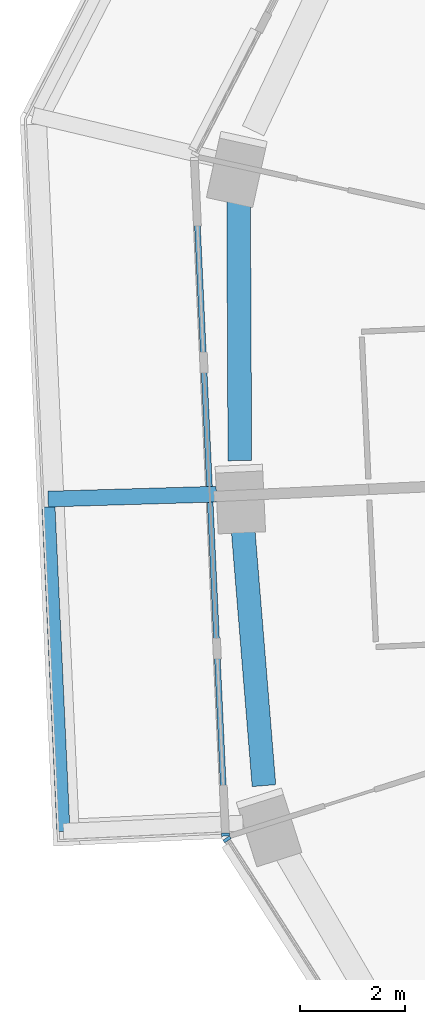
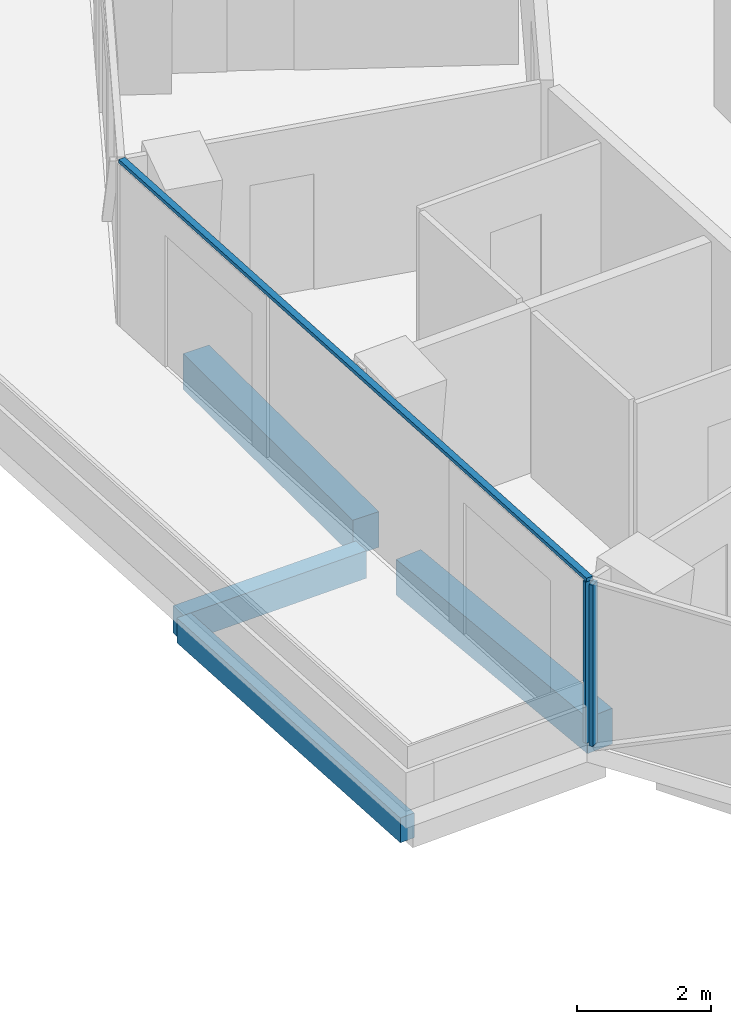
# One storey, part 4 of 22: 4 beams, 3 members, 2 elements without a shape of their own.
"""IFC4 building model written with IfcOpenShell, lengths in metres."""

from ifc_helpers import new_model, si_unit, direction, frame, origin, origin_2d, place, context, subcontext, project, spatial, rectangle, extrude, material, layer, layer_set, material_profile, profile_set, type_object, element, aggregate, save


model = new_model("IFC4")

# Units and contexts
model_context = context("Model", 3, precision=1e-05, world=origin(), true_north=direction((0.0, 1.0)))
body_context = subcontext(model_context, "Body", "Model", "MODEL_VIEW")
ifc_project = project(units=[si_unit("LENGTHUNIT", "METRE"), si_unit("AREAUNIT", "SQUARE_METRE"), si_unit("VOLUMEUNIT", "CUBIC_METRE"), si_unit("PLANEANGLEUNIT", "RADIAN"), si_unit("MASSUNIT", "GRAM", prefix="KILO")], contexts=[model_context])

# Site, building, storey
site_placement = place(None, origin())
site = spatial("IfcSite", under=ifc_project, at=site_placement, CompositionType="ELEMENT")
building_placement = place(site_placement, origin())
building = spatial("IfcBuilding", under=site, at=building_placement, Name="Verdalira Terraces Hotel", CompositionType="ELEMENT")
storey_placement = place(building_placement, frame((0.0, 0.0, 165.5)))
storey = spatial("IfcBuildingStorey", under=building, at=storey_placement, Name="L40", CompositionType="ELEMENT", Elevation=165.5)

# Beams
ifc_material_1 = material(Name="Concrete C40", Category="concrete")
ifc_material_profile_1 = material_profile(ifc_material_1, rectangle(XDim=0.300049, YDim=0.5, at=origin_2d()), Name="RC 300X500")
ifc_profile_set_1 = profile_set([ifc_material_profile_1], Name="Concrete C40")
beam_type_1 = type_object("IfcBeamType", Name="Balcony cantilever beam RC 300X500 C40", PredefinedType="BEAM", material=ifc_profile_set_1)
beam_1_placement = place(storey_placement, frame((-24.034424, -1.065674, -0.560059), z_axis=(-0.999570979, -0.029289222, 0.0), x_axis=(0.029289222, -0.999570979, 0.0)))
element("IfcBeam", 1, at=beam_1_placement, inside=storey, type_object=beam_type_1, Name="Balcony cantilever beam R11-1", PredefinedType="BEAM", context=body_context, shape_type="SweptSolid", body=[
    extrude(rectangle(XDim=0.300049, YDim=0.5, at=origin_2d()), origin(), (0.0, 0.0, 1.0), 3.200928),
])
ifc_material_2 = material(Name="Concrete C40", Category="concrete")
ifc_material_profile_2 = material_profile(ifc_material_2, rectangle(XDim=0.25, YDim=0.449951, at=origin_2d()), Name="RC 250X450")
ifc_profile_set_2 = profile_set([ifc_material_profile_2], Name="Concrete C40")
beam_type_2 = type_object("IfcBeamType", Name="Balcony edge beam RC 250X450 C40", PredefinedType="BEAM", material=ifc_profile_set_2)
beam_2_placement = place(storey_placement, frame((-27.226807, -1.309326, -0.534912), z_axis=(0.046037369, -0.998939718, 0.0), x_axis=(0.998939718, 0.046037369, 0.0)))
element("IfcBeam", 2, at=beam_2_placement, inside=storey, type_object=beam_type_2, Name="Balcony edge beam R11-1", PredefinedType="BEAM", context=body_context, shape_type="SweptSolid", body=[
    extrude(rectangle(XDim=0.25, YDim=0.449951, at=origin_2d()), origin(), (0.0, 0.0, 1.0), 6.172852),
])

# Curtain wall, member
ifc_material_3 = material(Name="Clear glass", Category="glass")
ifc_layer = layer(ifc_material_3, 0.14990234375)
ifc_layer_set = layer_set([ifc_layer], Name="CW1 curtain wall")
curtain_wall_type = type_object("IfcCurtainWallType", Name="CW1 curtain wall", PredefinedType="NOTDEFINED", material=ifc_layer_set)
curtain_wall_1_placement = place(storey_placement, origin())
curtain_wall_1 = element("IfcCurtainWall", 3, at=curtain_wall_1_placement, inside=storey, type_object=curtain_wall_type, Name="CW1 curtain wall L40 edge 12", PredefinedType="NOTDEFINED")
ifc_material_4 = material(Name="Terracotta frame", Category="masonry")
ifc_material_profile_3 = material_profile(ifc_material_4, rectangle(XDim=0.060059, YDim=0.149902, at=origin_2d()), Name="MU 60x150")
ifc_profile_set_3 = profile_set([ifc_material_profile_3], Name="Terracotta frame")
member_type_1 = type_object("IfcMemberType", Name="CW1 mullion 60x150", PredefinedType="MULLION", material=ifc_profile_set_3)
member_1_placement = place(storey_placement, frame((-23.861572, -7.536865, 0.0), z_axis=(0.0, 0.0, 1.0), x_axis=(0.04606039, -0.998938657, 0.0)))
member_1 = element("IfcMember", 4, at=member_1_placement, type_object=member_type_1, Name="CW1 mullion", PredefinedType="MULLION", context=body_context, shape_type="SweptSolid", body=[
    extrude(rectangle(XDim=0.060059, YDim=0.149902, at=origin_2d()), origin(), (0.0, 0.0, 1.0), 2.935059),
])

curtain_wall_2_placement = place(storey_placement, origin())
curtain_wall_2 = element("IfcCurtainWall", 5, at=curtain_wall_2_placement, inside=storey, type_object=curtain_wall_type, Name="CW1 curtain wall L40 edge 13", PredefinedType="NOTDEFINED")
member_2_placement = place(storey_placement, frame((-23.832275, -7.62915, 0.0), z_axis=(0.0, 0.0, 1.0), x_axis=(0.539358796, -0.842076059, 0.0)))
member_2 = element("IfcMember", 6, at=member_2_placement, type_object=member_type_1, Name="CW1 mullion", PredefinedType="MULLION", context=body_context, shape_type="SweptSolid", body=[
    extrude(rectangle(XDim=0.060059, YDim=0.149902, at=origin_2d()), origin(), (0.0, 0.0, 1.0), 2.935059),
])
aggregate(curtain_wall_2, [member_2])

# Member
ifc_material_5 = material(Name="Terracotta frame", Category="masonry")
ifc_material_profile_4 = material_profile(ifc_material_5, rectangle(XDim=0.110107, YDim=0.064941, at=origin_2d()), Name="TR 65x110")
ifc_profile_set_4 = profile_set([ifc_material_profile_4], Name="Terracotta frame")
member_type_2 = type_object("IfcMemberType", Name="CW1 transom 65x110", PredefinedType="USERDEFINED", material=ifc_profile_set_4)
member_3_placement = place(storey_placement, frame((-24.455322, 5.339111, 2.967529), z_axis=(0.046070245, -0.998938203, 0.0), x_axis=(0.998938203, 0.046070245, 0.0)))
member_3 = element("IfcMember", 7, at=member_3_placement, type_object=member_type_2, Name="CW1 transom", ObjectType="TRANSOM", PredefinedType="USERDEFINED", context=body_context, shape_type="SweptSolid", body=[
    extrude(rectangle(XDim=0.110107, YDim=0.064941, at=origin_2d()), origin(), (0.0, 0.0, 1.0), 12.919678),
])

aggregate(curtain_wall_1, [member_1, member_3])

# Beams
ifc_material_6 = material(Name="Concrete C50", Category="concrete")
ifc_material_profile_5 = material_profile(ifc_material_6, rectangle(XDim=0.449951, YDim=0.649902, at=origin_2d()), Name="RC 450X650")
ifc_profile_set_5 = profile_set([ifc_material_profile_5], Name="Concrete C50")
beam_type_3 = type_object("IfcBeamType", Name="Spandrel beam RC 450X650 C50", PredefinedType="SPANDREL", material=ifc_profile_set_5)
beam_3_placement = place(storey_placement, frame((-23.612549, 4.585693, -0.63501), z_axis=(0.004770427, -0.999988621, 0.0), x_axis=(0.999988621, 0.004770427, 0.0)))
element("IfcBeam", 8, at=beam_3_placement, inside=storey, type_object=beam_type_3, Name="Spandrel beam B04", PredefinedType="SPANDREL", context=body_context, shape_type="SweptSolid", body=[
    extrude(rectangle(XDim=0.449951, YDim=0.649902, at=origin_2d()), origin(), (0.0, 0.0, 1.0), 5.015381),
])
beam_4_placement = place(storey_placement, frame((-23.537354, -1.611328, -0.63501), z_axis=(0.08124746, -0.99669396, 0.0), x_axis=(0.99669396, 0.08124746, 0.0)))
element("IfcBeam", 9, at=beam_4_placement, inside=storey, type_object=beam_type_3, Name="Spandrel beam B05", PredefinedType="SPANDREL", context=body_context, shape_type="SweptSolid", body=[
    extrude(rectangle(XDim=0.449951, YDim=0.649902, at=origin_2d()), origin(), (0.0, 0.0, 1.0), 5.012207),
])

save(model, "model.ifc")
